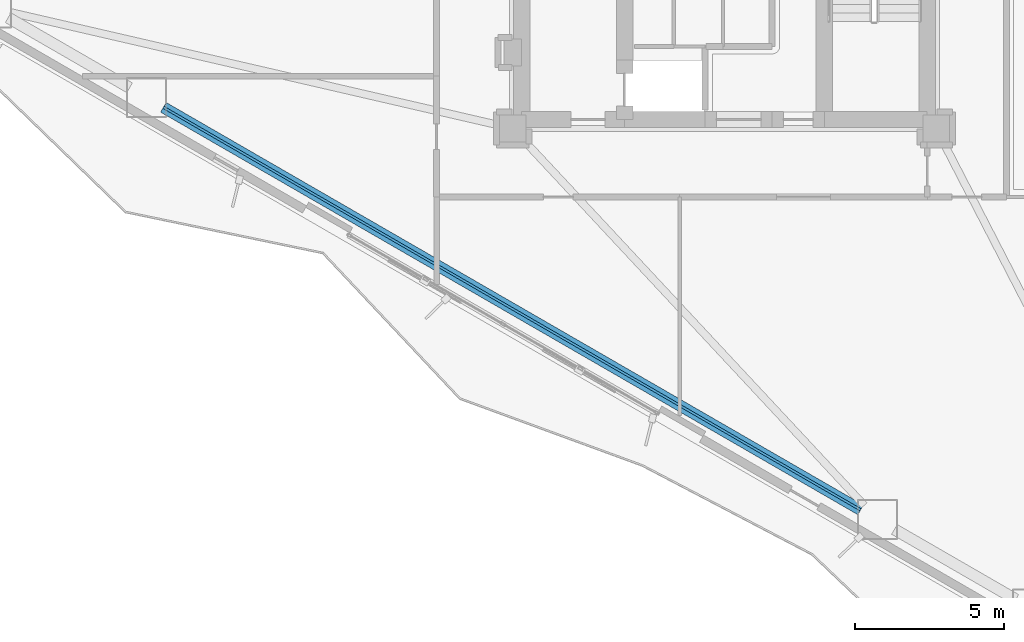
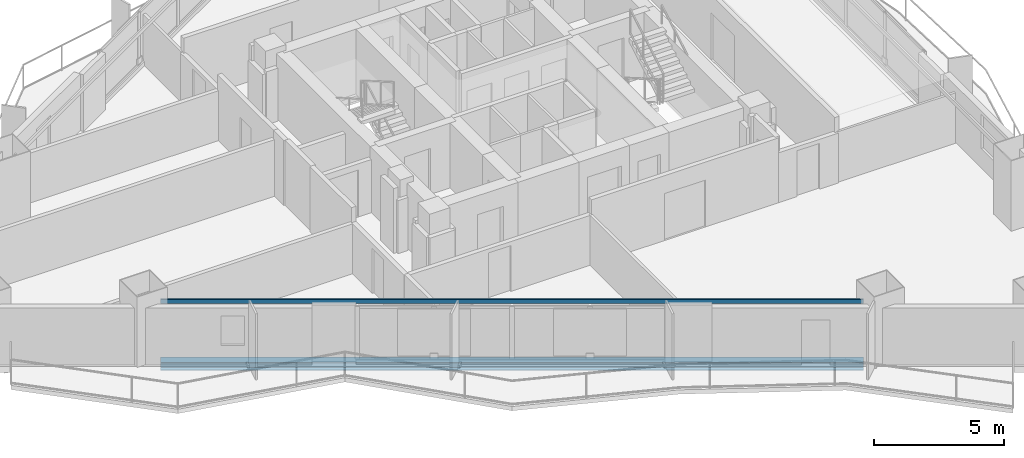
# One storey, part 3 of 16: 2 beams.
"""IFC4 building model written with IfcOpenShell, lengths in metres."""

from ifc_helpers import new_model, si_unit, direction, frame, origin, origin_2d, place, context, subcontext, project, spatial, hollow_rectangle, i_section, extrude, material, material_profile, profile_set, type_object, element, save


model = new_model("IFC4")

# Units and contexts
model_context = context("Model", 3, precision=1e-05, world=origin(), true_north=direction((0.0, 1.0)))
body_context = subcontext(model_context, "Body", "Model", "MODEL_VIEW")
ifc_project = project(units=[si_unit("LENGTHUNIT", "METRE"), si_unit("AREAUNIT", "SQUARE_METRE"), si_unit("VOLUMEUNIT", "CUBIC_METRE"), si_unit("PLANEANGLEUNIT", "RADIAN"), si_unit("MASSUNIT", "GRAM", prefix="KILO")], contexts=[model_context])

# Site, building, storey
site_placement = place(None, origin())
site = spatial("IfcSite", under=ifc_project, at=site_placement, CompositionType="ELEMENT")
building_placement = place(site_placement, origin())
building = spatial("IfcBuilding", under=site, at=building_placement, Name="Mersakhor Tower and Convention Hall", CompositionType="ELEMENT")
storey_placement = place(building_placement, frame((0.0, 0.0, 19.199951171875)))
storey = spatial("IfcBuildingStorey", under=building, at=storey_placement, Name="L04", CompositionType="ELEMENT", Elevation=19.199951171875)

# Beams
ifc_material_1 = material(Name="Steel S355", Category="steel")
ifc_material_profile_1 = material_profile(ifc_material_1, hollow_rectangle(XDim=0.080078125, YDim=0.179931640625, WallThickness=0.008056640625, at=origin_2d()), Name="RHS 180x80x8")
ifc_profile_set_1 = profile_set([ifc_material_profile_1], Name="Steel S355")
beam_type_1 = type_object("IfcBeamType", Name="BM-GRT-RHS180", PredefinedType="USERDEFINED", material=ifc_profile_set_1)
beam_1_placement = place(storey_placement, frame((33.566162109375, 7.6591796875, 2.47998046875), z_axis=(-0.866025970279, 0.499999018801, 0.0), x_axis=(-0.499999018801, -0.866025970279, 0.0)))
element("IfcBeam", 1, at=beam_1_placement, inside=storey, type_object=beam_type_1, Name="L04 Facade Support Girt GRT-F3", ObjectType="GIRT", PredefinedType="USERDEFINED", context=body_context, shape_type="SweptSolid", body=[
    extrude(hollow_rectangle(XDim=0.080078125, YDim=0.179931640625, WallThickness=0.008056640625, at=origin_2d()), origin(), (0.0, 0.0, 1.0), 26.99951171875),
])
ifc_material_2 = material(Name="Steel S355", Category="steel")
ifc_material_profile_2 = material_profile(ifc_material_2, i_section(OverallWidth=0.374755859375, OverallDepth=0.37451171875, WebThickness=0.0166015625, FlangeThickness=0.027099609375, at=origin_2d()), Name="UC 356x368x202")
ifc_profile_set_2 = profile_set([ifc_material_profile_2], Name="Steel S355")
beam_type_2 = type_object("IfcBeamType", Name="BM-SPD-UC356", PredefinedType="SPANDREL", material=ifc_profile_set_2)
beam_2_placement = place(storey_placement, frame((33.566162109375, 7.6591796875, -0.46728515625), z_axis=(-0.866025970279, 0.499999018801, 0.0), x_axis=(-0.499999018801, -0.866025970279, 0.0)))
element("IfcBeam", 2, at=beam_2_placement, inside=storey, type_object=beam_type_2, Name="L04 Perimeter Spandrel Beam SPB-10", PredefinedType="SPANDREL", context=body_context, shape_type="SweptSolid", body=[
    extrude(i_section(OverallWidth=0.374755859375, OverallDepth=0.37451171875, WebThickness=0.0166015625, FlangeThickness=0.027099609375, at=origin_2d()), origin(), (0.0, 0.0, 1.0), 26.99951171875),
])

save(model, "model.ifc")
